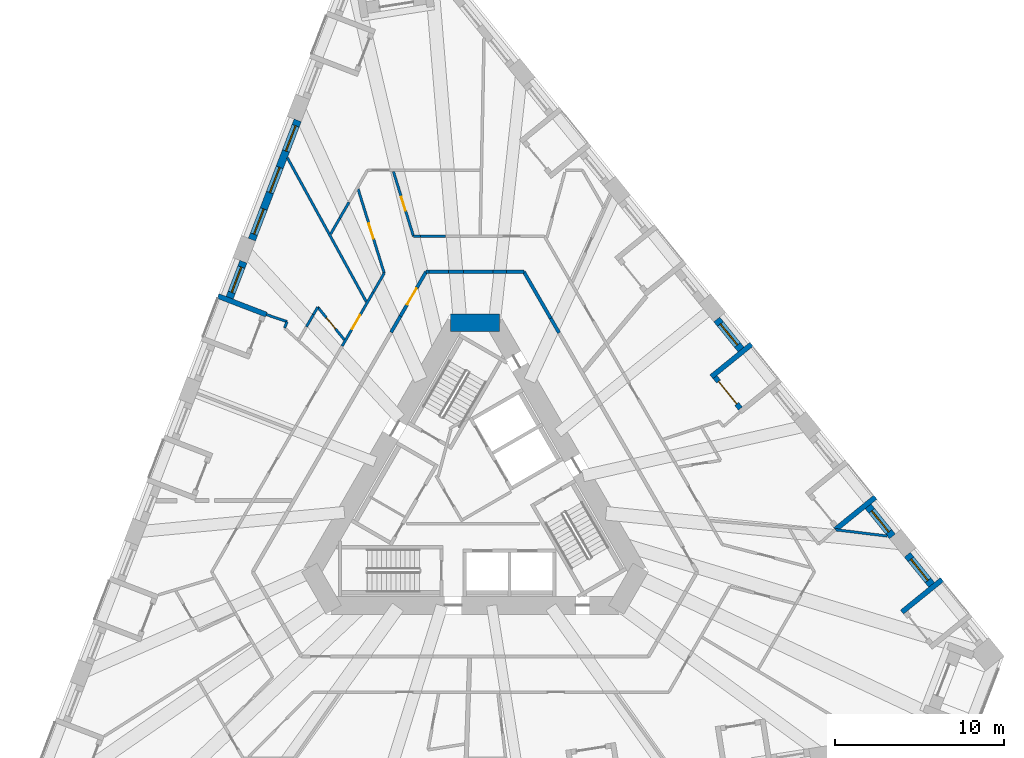
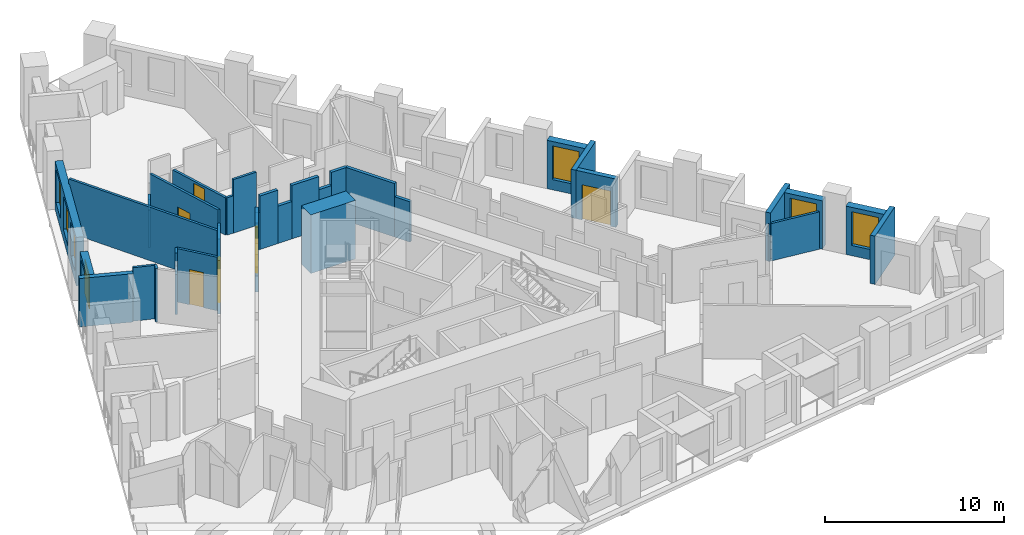
# One storey, part 8 of 14: 37 walls, 7 windows, 6 doors, 13 openings.
"""IFC4 building model written with IfcOpenShell, lengths in metres."""

from ifc_helpers import new_model, si_unit, direction, frame, frame_2d, origin, place, context, subcontext, project, spatial, rectangle, extrude, material, layer, layer_set, type_object, element, fill, save


model = new_model("IFC4")

# Units and contexts
model_context = context("Model", 3, precision=1e-05, world=origin(), true_north=direction((0.0, 1.0)))
body_context = subcontext(model_context, "Body", "Model", "MODEL_VIEW")
ifc_project = project(units=[si_unit("LENGTHUNIT", "METRE"), si_unit("AREAUNIT", "SQUARE_METRE"), si_unit("VOLUMEUNIT", "CUBIC_METRE"), si_unit("PLANEANGLEUNIT", "RADIAN"), si_unit("MASSUNIT", "GRAM", prefix="KILO")], contexts=[model_context])

# Site, building, storey
site_placement = place(None, origin())
site = spatial("IfcSite", under=ifc_project, at=site_placement, CompositionType="ELEMENT")
building_placement = place(site_placement, origin())
building = spatial("IfcBuilding", under=site, at=building_placement, Name="Tramontana Tower", CompositionType="ELEMENT")
storey_placement = place(building_placement, frame((0.0, 0.0, 67.199951171875)))
storey = spatial("IfcBuildingStorey", under=building, at=storey_placement, Name="L14", CompositionType="ELEMENT", Elevation=67.199951171875)

# Walls
ifc_material_1 = material(Name="Concrete 70 MPa", Category="concrete")
ifc_layer_1 = layer(ifc_material_1, 1.050048828125)
ifc_layer_set_1 = layer_set([ifc_layer_1], Name="Core wall 1050 70 MPa")
wall_type_1 = type_object("IfcWallType", Name="Core wall 1050 70 MPa", PredefinedType="SHEAR", material=ifc_layer_set_1)
wall_1_placement = place(storey_placement, frame((1.443359375, 10.47509765625, 0.0), z_axis=(0.0, 0.0, 1.0), x_axis=(-1.0, 0.0, 0.0)))
element("IfcWall", 1, at=wall_1_placement, inside=storey, type_object=wall_type_1, Name="Core wall C0 L14", PredefinedType="SHEAR", context=body_context, shape_type="SweptSolid", body=[
    extrude(rectangle(XDim=2.88671875, YDim=1.050048828125, at=frame_2d((1.443359375, 0.0))), origin(), (0.0, 0.0, 1.0), 4.0),
])
ifc_material_2 = material(Name="Blockwork", Category="masonry")
ifc_layer_2 = layer(ifc_material_2, 0.199951171875)
ifc_layer_set_2 = layer_set([ifc_layer_2], Name="ENTRY WALL 200")
wall_type_2 = type_object("IfcWallType", Name="ENTRY WALL 200", PredefinedType="SOLIDWALL", material=ifc_layer_set_2)
wall_2_placement = place(storey_placement, frame((2.88671875, 13.5, 0.0), z_axis=(0.0, 0.0, 1.0), x_axis=(0.50003154259, -0.866007191896, 0.0)))
element("IfcWall", 2, at=wall_2_placement, inside=storey, type_object=wall_type_2, Name="Wall v11-ew0-0", PredefinedType="SOLIDWALL", context=body_context, shape_type="SweptSolid", body=[
    extrude(rectangle(XDim=3.190673828125, YDim=0.199951171875, at=frame_2d((1.59521484375, 0.0))), origin(), (0.0, 0.0, 1.0), 3.650146484375),
])
wall_3_placement = place(storey_placement, frame((4.482177734375, 10.73681640625, 0.0), z_axis=(0.0, 0.0, 1.0), x_axis=(0.499966601515, -0.86604468555, 0.0)))
element("IfcWall", 3, at=wall_3_placement, inside=storey, type_object=wall_type_2, Name="Wall v11-ew0-1", PredefinedType="SOLIDWALL", context=body_context, shape_type="SweptSolid", body=[
    extrude(rectangle(XDim=0.98095703125, YDim=0.199951171875, at=frame_2d((0.490478515625, 0.0))), origin(), (0.0, 0.0, 1.0), 2.75),
])
wall_4_placement = place(storey_placement, frame((-4.95751953125, 9.913330078125, 0.0), z_axis=(0.0, 0.0, 1.0), x_axis=(0.499951133605, 0.866053614973, 0.0)))
element("IfcWall", 4, at=wall_4_placement, inside=storey, type_object=wall_type_2, Name="Wall v11-ew4-7", PredefinedType="SOLIDWALL", context=body_context, shape_type="SweptSolid", body=[
    extrude(rectangle(XDim=1.10888671875, YDim=0.199951171875, at=frame_2d((0.554443359375, 0.0))), origin(), (0.0, 0.0, 1.0), 2.550048828125),
])

# Wall, opening, door
wall_5_placement = place(storey_placement, frame((-4.403076171875, 10.873779296875, 0.0), z_axis=(0.0, 0.0, 1.0), x_axis=(0.500059920742, 0.865990805764, 0.0)))
wall_5 = element("IfcWall", 5, at=wall_5_placement, inside=storey, type_object=wall_type_2, Name="Wall v11-ew4-8", PredefinedType="SOLIDWALL", context=body_context, shape_type="SweptSolid", body=[
    extrude(rectangle(XDim=1.962158203125, YDim=0.199951171875, at=frame_2d((0.98095703125, 0.0))), origin(), (0.0, 0.0, 1.0), 3.650146484375),
])
opening_1_placement = place(wall_5_placement, frame((0.789306640625, 0.0, 0.0)))
opening_1 = element("IfcOpeningElement", 6, at=opening_1_placement, cuts=wall_5, Name="Opening B1B-29", PredefinedType="OPENING", context=body_context, shape_type="SweptSolid", body=[
    extrude(rectangle(XDim=1.10009765625, YDim=2.39990234375, at=frame_2d((0.550048828125, 1.199951171875))), frame((0.0, 0.10986328125, 0.0), z_axis=(0.0, -1.0, 0.0), x_axis=(1.0, 0.0, 0.0)), (0.0, 0.0, 1.0), 0.219970703125),
])
ifc_material_3 = material(Name="Painted timber", Category="wood")
door_type_1 = type_object("IfcDoorType", Name="DOOR ENTRY 1100", OperationType="SINGLE_SWING_LEFT", PredefinedType="DOOR", material=ifc_material_3)
door_1_placement = place(opening_1_placement, origin())
door_1 = element("IfcDoor", 7, at=door_1_placement, inside=storey, type_object=door_type_1, Name="Door B1B-29", OperationType="SINGLE_SWING_LEFT", OverallHeight=2.39990234375, OverallWidth=1.10009765625, PredefinedType="DOOR", context=body_context, shape_type="SweptSolid", body=[
    extrude(rectangle(XDim=1.10009765625, YDim=2.39990234375, at=frame_2d((0.550048828125, 1.199951171875))), frame((0.0, 0.02490234375, 0.0), z_axis=(0.0, -1.0, 0.0), x_axis=(1.0, 0.0, 0.0)), (0.0, 0.0, 1.0), 0.050048828125),
])
fill(opening_1, door_1)

# Walls
wall_6_placement = place(storey_placement, frame((-3.421875, 12.572998046875, 0.0), z_axis=(0.0, 0.0, 1.0), x_axis=(0.49996596245, 0.866045054481, 0.0)))
element("IfcWall", 8, at=wall_6_placement, inside=storey, type_object=wall_type_2, Name="Wall v11-ew4-9", PredefinedType="SOLIDWALL", context=body_context, shape_type="SweptSolid", body=[
    extrude(rectangle(XDim=1.0703125, YDim=0.199951171875, at=frame_2d((0.53515625, 0.0))), origin(), (0.0, 0.0, 1.0), 2.550048828125),
])
wall_7_placement = place(storey_placement, frame((-2.88671875, 13.5, 0.0), z_axis=(0.0, 0.0, 1.0), x_axis=(1.0, 0.0, 0.0)))
element("IfcWall", 9, at=wall_7_placement, inside=storey, type_object=wall_type_2, Name="Wall v11-ew5-0", PredefinedType="SOLIDWALL", context=body_context, shape_type="SweptSolid", body=[
    extrude(rectangle(XDim=0.171142578125, YDim=0.199951171875, at=frame_2d((0.08544921875, 0.0))), origin(), (0.0, 0.0, 1.0), 2.550048828125),
])
wall_8_placement = place(storey_placement, frame((-2.715576171875, 13.5, 0.0), z_axis=(0.0, 0.0, 1.0), x_axis=(1.0, 0.0, 0.0)))
element("IfcWall", 10, at=wall_8_placement, inside=storey, type_object=wall_type_2, Name="Wall v11-ew5-1", PredefinedType="SOLIDWALL", context=body_context, shape_type="SweptSolid", body=[
    extrude(rectangle(XDim=1.141357421875, YDim=0.199951171875, at=frame_2d((0.57080078125, 0.0))), origin(), (0.0, 0.0, 1.0), 3.650146484375),
])
wall_9_placement = place(storey_placement, frame((-1.57421875, 13.5, 0.0), z_axis=(0.0, 0.0, 1.0), x_axis=(1.0, 0.0, 0.0)))
element("IfcWall", 11, at=wall_9_placement, inside=storey, type_object=wall_type_2, Name="Wall v11-ew5-2", PredefinedType="SOLIDWALL", context=body_context, shape_type="SweptSolid", body=[
    extrude(rectangle(XDim=0.903076171875, YDim=0.199951171875, at=frame_2d((0.45166015625, 0.0))), origin(), (0.0, 0.0, 1.0), 2.550048828125),
])
wall_10_placement = place(storey_placement, frame((-0.671142578125, 13.5, 0.0), z_axis=(0.0, 0.0, 1.0), x_axis=(1.0, 0.0, 0.0)))
element("IfcWall", 12, at=wall_10_placement, inside=storey, type_object=wall_type_2, Name="Wall v11-ew5-3", PredefinedType="SOLIDWALL", context=body_context, shape_type="SweptSolid", body=[
    extrude(rectangle(XDim=1.745361328125, YDim=0.199951171875, at=frame_2d((0.87255859375, 0.0))), origin(), (0.0, 0.0, 1.0), 3.650146484375),
])
wall_11_placement = place(storey_placement, frame((1.07421875, 13.5, 0.0), z_axis=(0.0, 0.0, 1.0), x_axis=(1.0, 0.0, 0.0)))
element("IfcWall", 13, at=wall_11_placement, inside=storey, type_object=wall_type_2, Name="Wall v11-ew5-4", PredefinedType="SOLIDWALL", context=body_context, shape_type="SweptSolid", body=[
    extrude(rectangle(XDim=0.804931640625, YDim=0.199951171875, at=frame_2d((0.40234375, 0.0))), origin(), (0.0, 0.0, 1.0), 2.75),
])
wall_12_placement = place(storey_placement, frame((1.879150390625, 13.5, 0.0), z_axis=(0.0, 0.0, 1.0), x_axis=(1.0, 0.0, 0.0)))
element("IfcWall", 14, at=wall_12_placement, inside=storey, type_object=wall_type_2, Name="Wall v11-ew5-5", PredefinedType="SOLIDWALL", context=body_context, shape_type="SweptSolid", body=[
    extrude(rectangle(XDim=1.007568359375, YDim=0.199951171875, at=frame_2d((0.50390625, 0.0))), origin(), (0.0, 0.0, 1.0), 3.650146484375),
])

# Wall, openings, windows
ifc_material_4 = material(Name="Precast concrete 60 MPa", Category="concrete")
ifc_layer_3 = layer(ifc_material_4, 0.449951171875)
ifc_layer_set_3 = layer_set([ifc_layer_3], Name="Precast concrete 60 MPa, 450 mm")
wall_type_3 = type_object("IfcWallType", Name="EW1 Stone-faced precast wall 450", PredefinedType="SOLIDWALL", material=ifc_layer_set_3)
wall_13_placement = place(storey_placement, frame((-10.47802734375, 22.443603515625, 0.0), z_axis=(0.0, 0.0, 1.0), x_axis=(-0.358339674384, -0.933591279823, 0.0)))
wall_13 = element("IfcWall", 15, at=wall_13_placement, inside=storey, type_object=wall_type_3, Name="External wall L14 face 0 bay 2", PredefinedType="SOLIDWALL", context=body_context, shape_type="SweptSolid", body=[
    extrude(rectangle(XDim=7.548828125, YDim=0.449951171875, at=frame_2d((3.7744140625, 0.0))), origin(), (0.0, 0.0, 1.0), 3.300048828125),
])
opening_2_placement = place(wall_13_placement, frame((0.341552734375, 0.0, 0.699951171875)))
opening_2 = element("IfcOpeningElement", 16, at=opening_2_placement, cuts=wall_13, Name="Opening M1", PredefinedType="OPENING", context=body_context, shape_type="SweptSolid", body=[
    extrude(rectangle(XDim=1.60009765625, YDim=2.300048828125, at=frame_2d((0.800048828125, 1.14990234375))), frame((0.0, 0.23486328125, 0.0), z_axis=(0.0, -1.0, 0.0), x_axis=(1.0, 0.0, 0.0)), (0.0, 0.0, 1.0), 0.469970703125),
])
opening_3_placement = place(wall_13_placement, frame((2.974365234375, 0.0, 0.699951171875)))
opening_3 = element("IfcOpeningElement", 17, at=opening_3_placement, cuts=wall_13, Name="Opening M1", PredefinedType="OPENING", context=body_context, shape_type="SweptSolid", body=[
    extrude(rectangle(XDim=1.60009765625, YDim=2.300048828125, at=frame_2d((0.800048828125, 1.14990234375))), frame((0.0, 0.23486328125, 0.0), z_axis=(0.0, -1.0, 0.0), x_axis=(1.0, 0.0, 0.0)), (0.0, 0.0, 1.0), 0.469970703125),
])
opening_4_placement = place(wall_13_placement, frame((5.607421875, 0.0, 0.699951171875)))
opening_4 = element("IfcOpeningElement", 18, at=opening_4_placement, cuts=wall_13, Name="Opening M1", PredefinedType="OPENING", context=body_context, shape_type="SweptSolid", body=[
    extrude(rectangle(XDim=1.60009765625, YDim=2.300048828125, at=frame_2d((0.800048828125, 1.14990234375))), frame((0.0, 0.23486328125, 0.0), z_axis=(0.0, -1.0, 0.0), x_axis=(1.0, 0.0, 0.0)), (0.0, 0.0, 1.0), 0.469970703125),
])
ifc_material_5 = material(Name="Aluminum frame, double glazing unit", Category="aluminium")
window_type = type_object("IfcWindowType", Name="M1 Window 1.6 x 2.3", PartitioningType="SINGLE_PANEL", PredefinedType="WINDOW", material=ifc_material_5)
window_1_placement = place(opening_2_placement, origin())
window_1 = element("IfcWindow", 19, at=window_1_placement, inside=storey, type_object=window_type, Name="Window M1 L14 face 0 module 4", OverallHeight=2.300048828125, OverallWidth=1.60009765625, PartitioningType="SINGLE_PANEL", PredefinedType="WINDOW", context=body_context, shape_type="SweptSolid", body=[
    extrude(rectangle(XDim=1.60009765625, YDim=2.300048828125, at=frame_2d((0.800048828125, 1.14990234375))), frame((0.0, 0.030029296875, 0.0), z_axis=(0.0, -1.0, 0.0), x_axis=(1.0, 0.0, 0.0)), (0.0, 0.0, 1.0), 0.06005859375),
])
fill(opening_2, window_1)
window_2_placement = place(opening_3_placement, origin())
window_2 = element("IfcWindow", 20, at=window_2_placement, inside=storey, type_object=window_type, Name="Window M1 L14 face 0 module 5", OverallHeight=2.300048828125, OverallWidth=1.60009765625, PartitioningType="SINGLE_PANEL", PredefinedType="WINDOW", context=body_context, shape_type="SweptSolid", body=[
    extrude(rectangle(XDim=1.60009765625, YDim=2.300048828125, at=frame_2d((0.800048828125, 1.14990234375))), frame((0.0, 0.030029296875, 0.0), z_axis=(0.0, -1.0, 0.0), x_axis=(1.0, 0.0, 0.0)), (0.0, 0.0, 1.0), 0.06005859375),
])
fill(opening_3, window_2)
window_3_placement = place(opening_4_placement, origin())
window_3 = element("IfcWindow", 21, at=window_3_placement, inside=storey, type_object=window_type, Name="Window M1 L14 face 0 module 6", OverallHeight=2.300048828125, OverallWidth=1.60009765625, PartitioningType="SINGLE_PANEL", PredefinedType="WINDOW", context=body_context, shape_type="SweptSolid", body=[
    extrude(rectangle(XDim=1.60009765625, YDim=2.300048828125, at=frame_2d((0.800048828125, 1.14990234375))), frame((0.0, 0.030029296875, 0.0), z_axis=(0.0, -1.0, 0.0), x_axis=(1.0, 0.0, 0.0)), (0.0, 0.0, 1.0), 0.06005859375),
])
fill(opening_4, window_3)

# Wall, opening, window
wall_14_placement = place(storey_placement, frame((-13.684814453125, 14.0888671875, 0.0), z_axis=(0.0, 0.0, 1.0), x_axis=(-0.35844875217, -0.933549405264, 0.0)))
wall_14 = element("IfcWall", 22, at=wall_14_placement, inside=storey, type_object=wall_type_3, Name="External wall L14 face 0 bay 3", PredefinedType="SOLIDWALL", context=body_context, shape_type="SweptSolid", body=[
    extrude(rectangle(XDim=2.282958984375, YDim=0.449951171875, at=frame_2d((1.1416015625, 0.0))), origin(), (0.0, 0.0, 1.0), 3.300048828125),
])
opening_5_placement = place(wall_14_placement, frame((0.341552734375, 0.0, 0.699951171875)))
opening_5 = element("IfcOpeningElement", 23, at=opening_5_placement, cuts=wall_14, Name="Opening M1", PredefinedType="OPENING", context=body_context, shape_type="SweptSolid", body=[
    extrude(rectangle(XDim=1.60009765625, YDim=2.300048828125, at=frame_2d((0.800048828125, 1.14990234375))), frame((0.0, 0.23486328125, 0.0), z_axis=(0.0, -1.0, 0.0), x_axis=(1.0, 0.0, 0.0)), (0.0, 0.0, 1.0), 0.469970703125),
])
window_4_placement = place(opening_5_placement, origin())
window_4 = element("IfcWindow", 24, at=window_4_placement, inside=storey, type_object=window_type, Name="Window M1 L14 face 0 module 7", OverallHeight=2.300048828125, OverallWidth=1.60009765625, PartitioningType="SINGLE_PANEL", PredefinedType="WINDOW", context=body_context, shape_type="SweptSolid", body=[
    extrude(rectangle(XDim=1.60009765625, YDim=2.300048828125, at=frame_2d((0.800048828125, 1.14990234375))), frame((0.0, 0.030029296875, 0.0), z_axis=(0.0, -1.0, 0.0), x_axis=(1.0, 0.0, 0.0)), (0.0, 0.0, 1.0), 0.06005859375),
])
fill(opening_5, window_4)

wall_15_placement = place(storey_placement, frame((26.993408203125, -5.009765625, 0.0), z_axis=(0.0, 0.0, 1.0), x_axis=(-0.629339730135, 0.777130300576, 0.0)))
wall_15 = element("IfcWall", 25, at=wall_15_placement, inside=storey, type_object=wall_type_3, Name="External wall L14 face 2 bay 1", PredefinedType="SOLIDWALL", context=body_context, shape_type="SweptSolid", body=[
    extrude(rectangle(XDim=2.282958984375, YDim=0.449951171875, at=frame_2d((1.1416015625, 0.0))), origin(), (0.0, 0.0, 1.0), 3.300048828125),
])
opening_6_placement = place(wall_15_placement, frame((0.341552734375, 0.0, 0.699951171875)))
opening_6 = element("IfcOpeningElement", 26, at=opening_6_placement, cuts=wall_15, Name="Opening M1", PredefinedType="OPENING", context=body_context, shape_type="SweptSolid", body=[
    extrude(rectangle(XDim=1.60009765625, YDim=2.300048828125, at=frame_2d((0.800048828125, 1.14990234375))), frame((0.0, 0.23486328125, 0.0), z_axis=(0.0, -1.0, 0.0), x_axis=(1.0, 0.0, 0.0)), (0.0, 0.0, 1.0), 0.469970703125),
])
window_5_placement = place(opening_6_placement, origin())
window_5 = element("IfcWindow", 27, at=window_5_placement, inside=storey, type_object=window_type, Name="Window M1 L14 face 2 module 3", OverallHeight=2.300048828125, OverallWidth=1.60009765625, PartitioningType="SINGLE_PANEL", PredefinedType="WINDOW", context=body_context, shape_type="SweptSolid", body=[
    extrude(rectangle(XDim=1.60009765625, YDim=2.300048828125, at=frame_2d((0.800048828125, 1.14990234375))), frame((0.0, 0.030029296875, 0.0), z_axis=(0.0, -1.0, 0.0), x_axis=(1.0, 0.0, 0.0)), (0.0, 0.0, 1.0), 0.06005859375),
])
fill(opening_6, window_5)

wall_16_placement = place(storey_placement, frame((24.675537109375, -2.147705078125, 0.0), z_axis=(0.0, 0.0, 1.0), x_axis=(-0.629287431131, 0.777172650716, 0.0)))
wall_16 = element("IfcWall", 28, at=wall_16_placement, inside=storey, type_object=wall_type_3, Name="External wall L14 face 2 bay 2", PredefinedType="SOLIDWALL", context=body_context, shape_type="SweptSolid", body=[
    extrude(rectangle(XDim=2.283203125, YDim=0.449951171875, at=frame_2d((1.1416015625, 0.0))), origin(), (0.0, 0.0, 1.0), 3.300048828125),
])
opening_7_placement = place(wall_16_placement, frame((0.341552734375, 0.0, 0.699951171875)))
opening_7 = element("IfcOpeningElement", 29, at=opening_7_placement, cuts=wall_16, Name="Opening M1", PredefinedType="OPENING", context=body_context, shape_type="SweptSolid", body=[
    extrude(rectangle(XDim=1.60009765625, YDim=2.300048828125, at=frame_2d((0.800048828125, 1.14990234375))), frame((0.0, 0.23486328125, 0.0), z_axis=(0.0, -1.0, 0.0), x_axis=(1.0, 0.0, 0.0)), (0.0, 0.0, 1.0), 0.469970703125),
])
window_6_placement = place(opening_7_placement, origin())
window_6 = element("IfcWindow", 30, at=window_6_placement, inside=storey, type_object=window_type, Name="Window M1 L14 face 2 module 4", OverallHeight=2.300048828125, OverallWidth=1.60009765625, PartitioningType="SINGLE_PANEL", PredefinedType="WINDOW", context=body_context, shape_type="SweptSolid", body=[
    extrude(rectangle(XDim=1.60009765625, YDim=2.300048828125, at=frame_2d((0.800048828125, 1.14990234375))), frame((0.0, 0.030029296875, 0.0), z_axis=(0.0, -1.0, 0.0), x_axis=(1.0, 0.0, 0.0)), (0.0, 0.0, 1.0), 0.06005859375),
])
fill(opening_7, window_6)

wall_17_placement = place(storey_placement, frame((15.72998046875, 8.8994140625, 0.0), z_axis=(0.0, 0.0, 1.0), x_axis=(-0.629339730135, 0.777130300576, 0.0)))
wall_17 = element("IfcWall", 31, at=wall_17_placement, inside=storey, type_object=wall_type_3, Name="External wall L14 face 2 bay 3", PredefinedType="SOLIDWALL", context=body_context, shape_type="SweptSolid", body=[
    extrude(rectangle(XDim=2.282958984375, YDim=0.449951171875, at=frame_2d((1.1416015625, 0.0))), origin(), (0.0, 0.0, 1.0), 3.300048828125),
])
opening_8_placement = place(wall_17_placement, frame((0.341552734375, 0.0, 0.699951171875)))
opening_8 = element("IfcOpeningElement", 32, at=opening_8_placement, cuts=wall_17, Name="Opening M1", PredefinedType="OPENING", context=body_context, shape_type="SweptSolid", body=[
    extrude(rectangle(XDim=1.60009765625, YDim=2.300048828125, at=frame_2d((0.800048828125, 1.14990234375))), frame((0.0, 0.23486328125, 0.0), z_axis=(0.0, -1.0, 0.0), x_axis=(1.0, 0.0, 0.0)), (0.0, 0.0, 1.0), 0.469970703125),
])
window_7_placement = place(opening_8_placement, origin())
window_7 = element("IfcWindow", 33, at=window_7_placement, inside=storey, type_object=window_type, Name="Window M1 L14 face 2 module 9", OverallHeight=2.300048828125, OverallWidth=1.60009765625, PartitioningType="SINGLE_PANEL", PredefinedType="WINDOW", context=body_context, shape_type="SweptSolid", body=[
    extrude(rectangle(XDim=1.60009765625, YDim=2.300048828125, at=frame_2d((0.800048828125, 1.14990234375))), frame((0.0, 0.030029296875, 0.0), z_axis=(0.0, -1.0, 0.0), x_axis=(1.0, 0.0, 0.0)), (0.0, 0.0, 1.0), 0.06005859375),
])
fill(opening_8, window_7)

# Walls
ifc_material_6 = material(Name="Precast concrete 60 MPa", Category="concrete")
ifc_layer_4 = layer(ifc_material_6, 0.300048828125)
ifc_layer_set_4 = layer_set([ifc_layer_4], Name="LW1 Stone-faced loggia wall 300")
wall_type_4 = type_object("IfcWallType", Name="LW1 Stone-faced loggia wall 300", PredefinedType="SOLIDWALL", material=ifc_layer_set_4)
for number, where, z_axis, x_axis, name in (
    (34, (-15.18701171875, 12.0595703125, 0.0), (0.0, 0.0, 1.0), (0.933580593625, -0.358367514161, 0.0), "Loggia return L14 G1S0.7a"),
    (35, (27.6123046875, -4.70166015625, 0.0), (0.0, 0.0, 1.0), (-0.777153523895, -0.629311052102, 0.0), "Loggia return L14 G1S2.1b"),
):
    element("IfcWall", number, at=place(storey_placement, frame(where, z_axis=z_axis, x_axis=x_axis)), inside=storey, type_object=wall_type_4, Name=name, PredefinedType="SOLIDWALL", context=body_context, shape_type="SweptSolid", body=[
        extrude(rectangle(XDim=3.050048828125, YDim=0.300048828125, at=frame_2d((1.52490234375, 0.0))), origin(), (0.0, 0.0, 1.0), 3.300048828125),
    ])
wall_18_placement = place(storey_placement, frame((23.6689453125, 0.16796875, 0.0), z_axis=(0.0, 0.0, 1.0), x_axis=(-0.777121820661, -0.629350201281, 0.0)))
element("IfcWall", 36, at=wall_18_placement, inside=storey, type_object=wall_type_4, Name="Loggia return L14 G1S2.4a", PredefinedType="SOLIDWALL", context=body_context, shape_type="SweptSolid", body=[
    extrude(rectangle(XDim=3.0498046875, YDim=0.300048828125, at=frame_2d((1.52490234375, 0.0))), origin(), (0.0, 0.0, 1.0), 3.300048828125),
])

# Wall, opening, door
wall_19_placement = place(storey_placement, frame((15.689208984375, 5.4140625, 0.0), z_axis=(0.0, 0.0, 1.0), x_axis=(-0.629319049918, 0.777147047482, 0.0)))
wall_19 = element("IfcWall", 37, at=wall_19_placement, inside=storey, type_object=wall_type_4, Name="Loggia wall L14 G1S2.7", PredefinedType="SOLIDWALL", context=body_context, shape_type="SweptSolid", body=[
    extrude(rectangle(XDim=2.383056640625, YDim=0.300048828125, at=frame_2d((1.19140625, 0.0))), origin(), (0.0, 0.0, 1.0), 3.300048828125),
])
opening_9_placement = place(wall_19_placement, frame((0.341552734375, 0.0, 0.0)))
opening_9 = element("IfcOpeningElement", 38, at=opening_9_placement, cuts=wall_19, Name="Opening BD-1S2-07", PredefinedType="OPENING", context=body_context, shape_type="SweptSolid", body=[
    extrude(rectangle(XDim=1.699951171875, YDim=2.39990234375, at=frame_2d((0.85009765625, 1.199951171875))), frame((0.0, 0.159912109375, 0.0), z_axis=(0.0, -1.0, 0.0), x_axis=(1.0, 0.0, 0.0)), (0.0, 0.0, 1.0), 0.320068359375),
])
ifc_material_7 = material(Name="Aluminum frame, double glazing unit", Category="aluminium")
door_type_2 = type_object("IfcDoorType", Name="BD1 Sliding door 1.7 x 2.4", OperationType="SLIDING_TO_LEFT", PredefinedType="DOOR", material=ifc_material_7)
door_2_placement = place(opening_9_placement, origin())
door_2 = element("IfcDoor", 39, at=door_2_placement, inside=storey, type_object=door_type_2, Name="Loggia door L14 G1S2.7", OperationType="SLIDING_TO_LEFT", OverallHeight=2.39990234375, OverallWidth=1.699951171875, PredefinedType="DOOR", context=body_context, shape_type="SweptSolid", body=[
    extrude(rectangle(XDim=1.699951171875, YDim=2.39990234375, at=frame_2d((0.85009765625, 1.199951171875))), frame((0.0, 0.02490234375, 0.0), z_axis=(0.0, -1.0, 0.0), x_axis=(1.0, 0.0, 0.0)), (0.0, 0.0, 1.0), 0.050048828125),
])
fill(opening_9, door_2)

# Wall
wall_20_placement = place(storey_placement, frame((16.348876953125, 9.207763671875, 0.0), z_axis=(0.0, 0.0, 1.0), x_axis=(-0.777153523895, -0.629311052102, 0.0)))
element("IfcWall", 40, at=wall_20_placement, inside=storey, type_object=wall_type_4, Name="Loggia return L14 G1S2.7b", PredefinedType="SOLIDWALL", context=body_context, shape_type="SweptSolid", body=[
    extrude(rectangle(XDim=3.050048828125, YDim=0.300048828125, at=frame_2d((1.52490234375, 0.0))), origin(), (0.0, 0.0, 1.0), 3.300048828125),
])

# Wall, opening, door
ifc_material_8 = material(Name="Gypsum board partition")
ifc_layer_5 = layer(ifc_material_8, 0.14990234375)
ifc_layer_set_5 = layer_set([ifc_layer_5], Name="PARTITION 150")
wall_type_5 = type_object("IfcWallType", Name="PARTITION 150", PredefinedType="PARTITIONING", material=ifc_layer_set_5)
wall_21_placement = place(storey_placement, frame((-7.85107421875, 9.1015625, 0.0), z_axis=(0.0, 0.0, 1.0), x_axis=(0.500002145574, 0.866024165033, 0.0)))
wall_21 = element("IfcWall", 41, at=wall_21_placement, inside=storey, type_object=wall_type_5, Name="Wall v11-pw05-6", PredefinedType="PARTITIONING", context=body_context, shape_type="SweptSolid", body=[
    extrude(rectangle(XDim=3.67724609375, YDim=0.14990234375, at=frame_2d((1.838623046875, 0.0))), origin(), (0.0, 0.0, 1.0), 3.650146484375),
])
opening_10_placement = place(wall_21_placement, frame((1.174072265625, 0.0, 0.0)))
opening_10 = element("IfcOpeningElement", 42, at=opening_10_placement, cuts=wall_21, Name="Opening B1B-06", PredefinedType="OPENING", context=body_context, shape_type="SweptSolid", body=[
    extrude(rectangle(XDim=0.949951171875, YDim=2.39990234375, at=frame_2d((0.47509765625, 1.199951171875))), frame((0.0, 0.0849609375, 0.0), z_axis=(0.0, -1.0, 0.0), x_axis=(1.0, 0.0, 0.0)), (0.0, 0.0, 1.0), 0.169921875),
])
ifc_material_9 = material(Name="Painted timber", Category="wood")
door_type_3 = type_object("IfcDoorType", Name="DOOR ROOM 950", OperationType="SINGLE_SWING_LEFT", PredefinedType="DOOR", material=ifc_material_9)
door_3_placement = place(opening_10_placement, origin())
door_3 = element("IfcDoor", 43, at=door_3_placement, inside=storey, type_object=door_type_3, Name="Door B1B-06", OperationType="SINGLE_SWING_RIGHT", OverallHeight=2.39990234375, OverallWidth=0.949951171875, PredefinedType="DOOR", context=body_context, shape_type="SweptSolid", body=[
    extrude(rectangle(XDim=0.949951171875, YDim=2.39990234375, at=frame_2d((0.47509765625, 1.199951171875))), frame((0.0, 0.02490234375, 0.0), z_axis=(0.0, -1.0, 0.0), x_axis=(1.0, 0.0, 0.0)), (0.0, 0.0, 1.0), 0.050048828125),
])
fill(opening_10, door_3)

# Walls
wall_22_placement = place(storey_placement, frame((-6.012451171875, 12.2861328125, 0.0), z_axis=(0.0, 0.0, 1.0), x_axis=(0.49996696679, 0.866044474677, 0.0)))
element("IfcWall", 44, at=wall_22_placement, inside=storey, type_object=wall_type_5, Name="Wall v11-pw05-7", PredefinedType="PARTITIONING", context=body_context, shape_type="SweptSolid", body=[
    extrude(rectangle(XDim=1.29638671875, YDim=0.14990234375, at=frame_2d((0.648193359375, 0.0))), origin(), (0.0, 0.0, 1.0), 2.550048828125),
])
wall_23_placement = place(storey_placement, frame((-11.251953125, 10.171875, 0.0), z_axis=(0.0, 0.0, 1.0), x_axis=(0.358733772411, 0.933439918008, 0.0)))
element("IfcWall", 45, at=wall_23_placement, inside=storey, type_object=wall_type_5, Name="Wall v11-pw13", PredefinedType="PARTITIONING", context=body_context, shape_type="SweptSolid", body=[
    extrude(rectangle(XDim=0.400146484375, YDim=0.14990234375, at=frame_2d((0.2001953125, 0.0))), origin(), (0.0, 0.0, 1.0), 3.650146484375),
])
wall_24_placement = place(storey_placement, frame((-11.109619140625, 10.548095703125, 0.0), z_axis=(0.0, 0.0, 1.0), x_axis=(-0.946710875396, 0.322084644785, 0.0)))
element("IfcWall", 46, at=wall_24_placement, inside=storey, type_object=wall_type_5, Name="Wall v11-pw14", PredefinedType="PARTITIONING", context=body_context, shape_type="SweptSolid", body=[
    extrude(rectangle(XDim=1.29931640625, YDim=0.14990234375, at=frame_2d((0.649658203125, 0.0))), origin(), (0.0, 0.0, 1.0), 3.650146484375),
])
wall_25_placement = place(storey_placement, frame((-9.960205078125, 10.24853515625, 0.0), z_axis=(0.0, 0.0, 1.0), x_axis=(0.499921960197, 0.866070455398, 0.0)))
element("IfcWall", 47, at=wall_25_placement, inside=storey, type_object=wall_type_5, Name="Wall v11-pw18-1", PredefinedType="PARTITIONING", context=body_context, shape_type="SweptSolid", body=[
    extrude(rectangle(XDim=0.812255859375, YDim=0.14990234375, at=frame_2d((0.40625, 0.0))), origin(), (0.0, 0.0, 1.0), 2.75),
])
wall_26_placement = place(storey_placement, frame((-9.55419921875, 10.951904296875, 0.0), z_axis=(0.0, 0.0, 1.0), x_axis=(0.500153222552, 0.865936922628, 0.0)))
element("IfcWall", 48, at=wall_26_placement, inside=storey, type_object=wall_type_5, Name="Wall v11-pw18-2", PredefinedType="PARTITIONING", context=body_context, shape_type="SweptSolid", body=[
    extrude(rectangle(XDim=0.523193359375, YDim=0.14990234375, at=frame_2d((0.26171875, 0.0))), origin(), (0.0, 0.0, 1.0), 3.650146484375),
])

# Wall, opening, door
wall_27_placement = place(storey_placement, frame((-7.72119140625, 9.4765625, 0.0), z_axis=(0.0, 0.0, 1.0), x_axis=(-0.631659843524, 0.775245665631, 0.0)))
wall_27 = element("IfcWall", 49, at=wall_27_placement, inside=storey, type_object=wall_type_5, Name="Wall v11-pw20", PredefinedType="PARTITIONING", context=body_context, shape_type="SweptSolid", body=[
    extrude(rectangle(XDim=2.487548828125, YDim=0.14990234375, at=frame_2d((1.24365234375, 0.0))), origin(), (0.0, 0.0, 1.0), 3.650146484375),
])
opening_11_placement = place(wall_27_placement, frame((0.81884765625, 0.0, 0.0)))
opening_11 = element("IfcOpeningElement", 50, at=opening_11_placement, cuts=wall_27, Name="Opening B1B-11", PredefinedType="OPENING", context=body_context, shape_type="SweptSolid", body=[
    extrude(rectangle(XDim=0.85009765625, YDim=2.39990234375, at=frame_2d((0.425048828125, 1.199951171875))), frame((0.0, 0.0849609375, 0.0), z_axis=(0.0, -1.0, 0.0), x_axis=(1.0, 0.0, 0.0)), (0.0, 0.0, 1.0), 0.169921875),
])
ifc_material_10 = material(Name="Painted timber", Category="wood")
door_type_4 = type_object("IfcDoorType", Name="DOOR BATH 850", OperationType="SINGLE_SWING_LEFT", PredefinedType="DOOR", material=ifc_material_10)
door_4_placement = place(opening_11_placement, origin())
door_4 = element("IfcDoor", 51, at=door_4_placement, inside=storey, type_object=door_type_4, Name="Door B1B-11", OperationType="SINGLE_SWING_LEFT", OverallHeight=2.39990234375, OverallWidth=0.85009765625, PredefinedType="DOOR", context=body_context, shape_type="SweptSolid", body=[
    extrude(rectangle(XDim=0.85009765625, YDim=2.39990234375, at=frame_2d((0.425048828125, 1.199951171875))), frame((0.0, 0.02490234375, 0.0), z_axis=(0.0, -1.0, 0.0), x_axis=(1.0, 0.0, 0.0)), (0.0, 0.0, 1.0), 0.050048828125),
])
fill(opening_11, door_4)

# Walls
wall_28_placement = place(storey_placement, frame((-8.53076171875, 15.724365234375, 0.0), z_axis=(0.0, 0.0, 1.0), x_axis=(0.499993928037, 0.866028909405, 0.0)))
element("IfcWall", 52, at=wall_28_placement, inside=storey, type_object=wall_type_5, Name="Wall v11-pw22-0", PredefinedType="PARTITIONING", context=body_context, shape_type="SweptSolid", body=[
    extrude(rectangle(XDim=1.08984375, YDim=0.14990234375, at=frame_2d((0.544921875, 0.0))), origin(), (0.0, 0.0, 1.0), 3.650146484375),
])
wall_29_placement = place(storey_placement, frame((-7.98583984375, 16.668212890625, 0.0), z_axis=(0.0, 0.0, 1.0), x_axis=(0.500107854436, 0.865963125042, 0.0)))
element("IfcWall", 53, at=wall_29_placement, inside=storey, type_object=wall_type_5, Name="Wall v11-pw22-1", PredefinedType="PARTITIONING", context=body_context, shape_type="SweptSolid", body=[
    extrude(rectangle(XDim=1.078369140625, YDim=0.14990234375, at=frame_2d((0.5390625, 0.0))), origin(), (0.0, 0.0, 1.0), 2.550048828125),
])
wall_30_placement = place(storey_placement, frame((-6.423828125, 11.723388671875, 0.0), z_axis=(0.0, 0.0, 1.0), x_axis=(-0.48054737778, 0.876968766666, 0.0)))
element("IfcWall", 54, at=wall_30_placement, inside=storey, type_object=wall_type_5, Name="Wall v11-pw24", PredefinedType="PARTITIONING", context=body_context, shape_type="SweptSolid", body=[
    extrude(rectangle(XDim=9.70166015625, YDim=0.14990234375, at=frame_2d((4.850830078125, 0.0))), origin(), (0.0, 0.0, 1.0), 3.650146484375),
])

# Wall, opening, door
wall_31_placement = place(storey_placement, frame((-5.3642578125, 13.408935546875, 0.0), z_axis=(0.0, 0.0, 1.0), x_axis=(-0.296294566298, 0.95509660767, 0.0)))
wall_31 = element("IfcWall", 55, at=wall_31_placement, inside=storey, type_object=wall_type_5, Name="Wall v11-pw26", PredefinedType="PARTITIONING", context=body_context, shape_type="SweptSolid", body=[
    extrude(rectangle(XDim=5.2099609375, YDim=0.14990234375, at=frame_2d((2.60498046875, 0.0))), origin(), (0.0, 0.0, 1.0), 3.650146484375),
])
opening_12_placement = place(wall_31_placement, frame((2.130126953125, 0.0, 0.0)))
opening_12 = element("IfcOpeningElement", 56, at=opening_12_placement, cuts=wall_31, Name="Opening B1B-01", PredefinedType="OPENING", context=body_context, shape_type="SweptSolid", body=[
    extrude(rectangle(XDim=0.949951171875, YDim=2.39990234375, at=frame_2d((0.47509765625, 1.199951171875))), frame((0.0, 0.0849609375, 0.0), z_axis=(0.0, -1.0, 0.0), x_axis=(1.0, 0.0, 0.0)), (0.0, 0.0, 1.0), 0.169921875),
])
door_5_placement = place(opening_12_placement, origin())
door_5 = element("IfcDoor", 57, at=door_5_placement, inside=storey, type_object=door_type_3, Name="Door B1B-01", OperationType="SINGLE_SWING_LEFT", OverallHeight=2.39990234375, OverallWidth=0.949951171875, PredefinedType="DOOR", context=body_context, shape_type="SweptSolid", body=[
    extrude(rectangle(XDim=0.949951171875, YDim=2.39990234375, at=frame_2d((0.47509765625, 1.199951171875))), frame((0.0, 0.02490234375, 0.0), z_axis=(0.0, -1.0, 0.0), x_axis=(1.0, 0.0, 0.0)), (0.0, 0.0, 1.0), 0.050048828125),
])
fill(opening_12, door_5)

wall_32_placement = place(storey_placement, frame((-4.822509765625, 19.425048828125, 0.0), z_axis=(0.0, 0.0, 1.0), x_axis=(0.296334021044, -0.955084366939, 0.0)))
wall_32 = element("IfcWall", 58, at=wall_32_placement, inside=storey, type_object=wall_type_5, Name="Wall v11-pw27-0", PredefinedType="PARTITIONING", context=body_context, shape_type="SweptSolid", body=[
    extrude(rectangle(XDim=4.0048828125, YDim=0.14990234375, at=frame_2d((2.00244140625, 0.0))), origin(), (0.0, 0.0, 1.0), 2.550048828125),
])
opening_13_placement = place(wall_32_placement, frame((1.577392578125, 0.0, 0.0)))
opening_13 = element("IfcOpeningElement", 59, at=opening_13_placement, cuts=wall_32, Name="Opening B1B-02", PredefinedType="OPENING", context=body_context, shape_type="SweptSolid", body=[
    extrude(rectangle(XDim=0.85009765625, YDim=2.39990234375, at=frame_2d((0.425048828125, 1.199951171875))), frame((0.0, 0.0849609375, 0.0), z_axis=(0.0, -1.0, 0.0), x_axis=(1.0, 0.0, 0.0)), (0.0, 0.0, 1.0), 0.169921875),
])
door_6_placement = place(opening_13_placement, origin())
door_6 = element("IfcDoor", 60, at=door_6_placement, inside=storey, type_object=door_type_4, Name="Door B1B-02", OperationType="SINGLE_SWING_RIGHT", OverallHeight=2.39990234375, OverallWidth=0.85009765625, PredefinedType="DOOR", context=body_context, shape_type="SweptSolid", body=[
    extrude(rectangle(XDim=0.85009765625, YDim=2.39990234375, at=frame_2d((0.425048828125, 1.199951171875))), frame((0.0, 0.02490234375, 0.0), z_axis=(0.0, -1.0, 0.0), x_axis=(1.0, 0.0, 0.0)), (0.0, 0.0, 1.0), 0.050048828125),
])
fill(opening_13, door_6)

# Walls
wall_33_placement = place(storey_placement, frame((-3.6357421875, 15.60009765625, 0.0), z_axis=(0.0, 0.0, 1.0), x_axis=(1.0, 0.0, 0.0)))
element("IfcWall", 61, at=wall_33_placement, inside=storey, type_object=wall_type_5, Name="Wall v11-pw28-0", PredefinedType="PARTITIONING", context=body_context, shape_type="SweptSolid", body=[
    extrude(rectangle(XDim=0.4130859375, YDim=0.14990234375, at=frame_2d((0.20654296875, 0.0))), origin(), (0.0, 0.0, 1.0), 2.550048828125),
])
wall_34_placement = place(storey_placement, frame((-3.22265625, 15.60009765625, 0.0), z_axis=(0.0, 0.0, 1.0), x_axis=(1.0, 0.0, 0.0)))
element("IfcWall", 62, at=wall_34_placement, inside=storey, type_object=wall_type_5, Name="Wall v11-pw28-1", PredefinedType="PARTITIONING", context=body_context, shape_type="SweptSolid", body=[
    extrude(rectangle(XDim=1.486328125, YDim=0.14990234375, at=frame_2d((0.7431640625, 0.0))), origin(), (0.0, 0.0, 1.0), 3.650146484375),
])
wall_35_placement = place(storey_placement, frame((21.298828125, -1.75146484375, 0.0), z_axis=(0.0, 0.0, 1.0), x_axis=(0.992571228933, -0.121664931241, 0.0)))
element("IfcWall", 63, at=wall_35_placement, inside=storey, type_object=wall_type_5, Name="Wall v11-pw57-0", PredefinedType="PARTITIONING", context=body_context, shape_type="SweptSolid", body=[
    extrude(rectangle(XDim=3.09423828125, YDim=0.14990234375, at=frame_2d((1.547119140625, 0.0))), origin(), (0.0, 0.0, 1.0), 2.550048828125),
])

save(model, "model.ifc")
